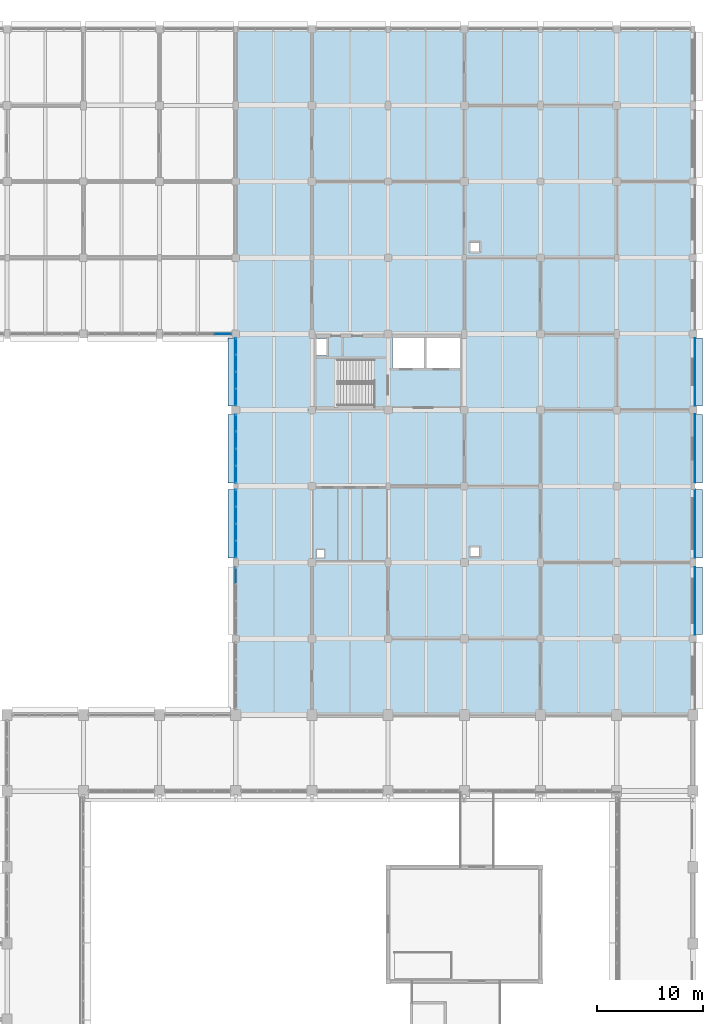
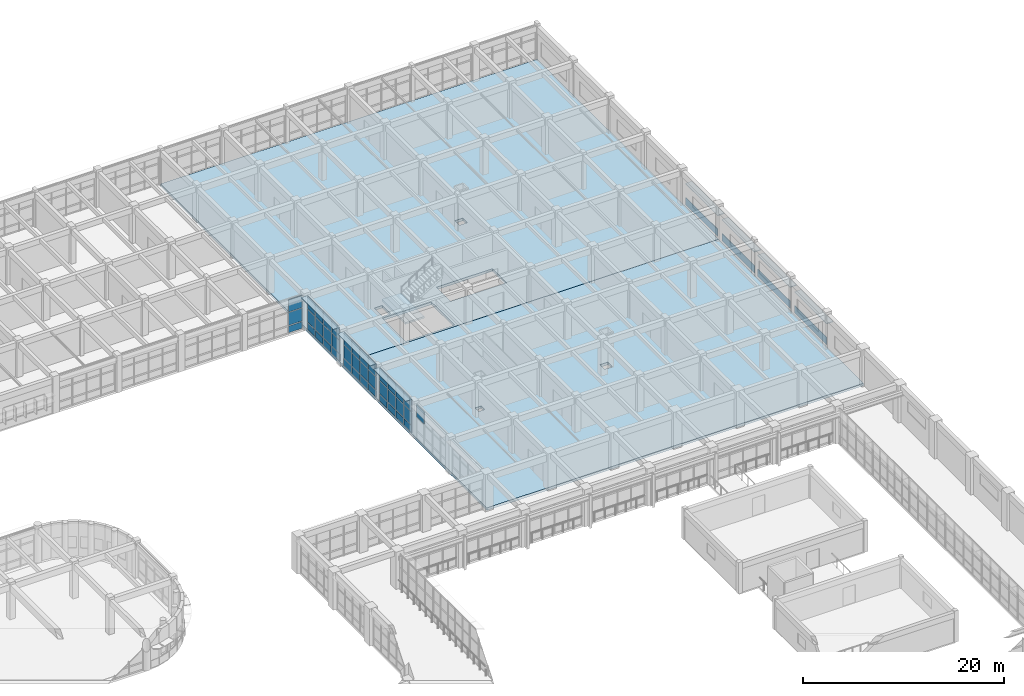
# One storey, part 144 of 171: 51 plates, 3 slabs, 6 elements without a shape of their own.
"""IFC4 building model written with IfcOpenShell, lengths in metres."""

import ifcopenshell
import ifcopenshell.guid

model = None  # the IFC model being written
_history = None  # IfcOwnerHistory: only IFC2X3 demands one
_inside = {}  # id of a spatial element -> (the spatial element, [elements in it])
_under = {}  # id of a project, library or spatial element -> (it, [spatial elements below it])
_declared = {}  # id of a project -> (the project, [libraries it declares])
_typed = {}  # id of a type object -> (the type object, [elements of that type])
_made_of = {}  # id of a material, layer set ... -> (it, [elements and type objects made of it])


def new_model(schema):
    """Start an empty IFC model of exactly this schema.

    Asked for "IFC4X3", IfcOpenShell would pick the latest addendum, in which some entities
    have other attributes; the version numbers below select the first issue.
    IFC2X3 requires an IfcOwnerHistory on every rooted entity: one is made here for all.
    """
    global model, _history
    if schema == "IFC4X3":
        model = ifcopenshell.file(schema_version=(4, 3, 0, 0))
    else:
        model = ifcopenshell.file(schema=schema)
    _inside.clear()
    _under.clear()
    _declared.clear()
    _typed.clear()
    _made_of.clear()
    _history = None
    if model.schema == "IFC2X3":
        org = make("IfcOrganization", Name="unknown")
        user = make(
            "IfcPersonAndOrganization",
            ThePerson=make("IfcPerson", FamilyName="unknown"),
            TheOrganization=org,
        )
        app = make(
            "IfcApplication",
            ApplicationDeveloper=org,
            Version="unknown",
            ApplicationFullName="unknown",
            ApplicationIdentifier="unknown",
        )
        _history = make(
            "IfcOwnerHistory",
            OwningUser=user,
            OwningApplication=app,
            ChangeAction="ADDED",
            CreationDate=0,
        )
    return model


def make(cls, **values):
    """One entity of the class cls with the attributes given. An attribute that is None is left unset."""
    return model.create_entity(
        cls, **{name: value for name, value in values.items() if value is not None}
    )


def rooted(cls, **values):
    """An entity with a GlobalId (a new one), such as an element, a storey or a relation."""
    return make(cls, GlobalId=ifcopenshell.guid.new(), OwnerHistory=_history, **values)


def si_unit(unit_type, name, prefix=None):
    """IfcSIUnit, for example si_unit("LENGTHUNIT", "METRE", prefix="MILLI")."""
    return make("IfcSIUnit", UnitType=unit_type, Prefix=prefix, Name=name)


def assignment(units):
    """IfcUnitAssignment: the units of a project."""
    return None if units is None else make("IfcUnitAssignment", Units=units)


def point(xyz):
    """IfcCartesianPoint."""
    return None if xyz is None else make("IfcCartesianPoint", Coordinates=xyz)


def direction(xyz):
    """IfcDirection."""
    return None if xyz is None else make("IfcDirection", DirectionRatios=xyz)


def frame(location, z_axis=None, x_axis=None):
    """IfcAxis2Placement3D, a coordinate frame: its origin and axes. An axis left out is left unset."""
    return make(
        "IfcAxis2Placement3D",
        Location=point(location),
        Axis=direction(z_axis),
        RefDirection=direction(x_axis),
    )


def frame_2d(location, x_axis=None):
    """IfcAxis2Placement2D, a coordinate frame in the plane: its origin and x axis."""
    return make(
        "IfcAxis2Placement2D", Location=point(location), RefDirection=direction(x_axis)
    )


def origin():
    """The frame at (0, 0, 0) with its axes left unset."""
    return frame((0.0, 0.0, 0.0))


def origin_2d():
    """The frame at (0, 0) in the plane with its x axis left unset."""
    return frame_2d((0.0, 0.0))


def place(relative_to, where):
    """IfcLocalPlacement: puts the frame where relative to a parent placement (None: the world)."""
    return make(
        "IfcLocalPlacement", PlacementRelTo=relative_to, RelativePlacement=where
    )


def context(
    kind, dimensions, precision=None, world=None, true_north=None, identifier=None
):
    """IfcGeometricRepresentationContext, for example the 3D "Model" context."""
    return make(
        "IfcGeometricRepresentationContext",
        ContextIdentifier=identifier,
        ContextType=kind,
        CoordinateSpaceDimension=dimensions,
        Precision=precision,
        WorldCoordinateSystem=world,
        TrueNorth=true_north,
    )


def subcontext(parent, identifier, kind, view, scale=None):
    """IfcGeometricRepresentationSubContext, for example "Body" below "Model"."""
    return make(
        "IfcGeometricRepresentationSubContext",
        ContextIdentifier=identifier,
        ContextType=kind,
        ParentContext=parent,
        TargetScale=scale,
        TargetView=view,
    )


def project(units=None, contexts=None):
    """IfcProject with its units and contexts."""
    return rooted(
        "IfcProject",
        Name="project",
        RepresentationContexts=contexts,
        UnitsInContext=assignment(units),
    )


def spatial(cls, under=None, at=None, **own):
    """A site, building, storey or space (cls), placed at a placement, below another one or the project."""
    s = rooted(cls, ObjectPlacement=at, **own)
    if under is not None:
        _under.setdefault(under.id(), (under, []))[1].append(s)
    return s


def polyline(points):
    """IfcPolyline through the points."""
    return make("IfcPolyline", Points=[point(p) for p in points])


def profile(cls, at=None, kind="AREA", **sizes):
    """A parametric profile (cls). Its sizes go by their IFC names, for example OverallWidth=200.0."""
    return make(cls, ProfileType=kind, Position=at, **sizes)


def rectangle(**sizes):
    """IfcRectangleProfileDef."""
    return profile("IfcRectangleProfileDef", **sizes)


def outline(outer, holes=None, kind="AREA"):
    """IfcArbitraryClosedProfileDef: a profile drawn as a closed curve; with holes, ...WithVoids."""
    if holes is None:
        return make("IfcArbitraryClosedProfileDef", ProfileType=kind, OuterCurve=outer)
    return make(
        "IfcArbitraryProfileDefWithVoids",
        ProfileType=kind,
        OuterCurve=outer,
        InnerCurves=holes,
    )


def extrude(swept, where, along, depth):
    """IfcExtrudedAreaSolid: the profile swept, set in the frame where, extruded along a direction by depth."""
    return make(
        "IfcExtrudedAreaSolid",
        SweptArea=swept,
        Position=where,
        ExtrudedDirection=direction(along),
        Depth=depth,
    )


def shape(context_of_items, identifier, shape_type, items):
    """IfcShapeRepresentation: the items that make up one representation, for example the "Body"."""
    return make(
        "IfcShapeRepresentation",
        ContextOfItems=context_of_items,
        RepresentationIdentifier=identifier,
        RepresentationType=shape_type,
        Items=items,
    )


def material(Name=None, Category=None):
    """IfcMaterial."""
    return make("IfcMaterial", Name=Name, Category=Category)


def layer(
    of_material, thickness, ventilated=None, Name=None, Category=None, Priority=None
):
    """IfcMaterialLayer: one layer of a wall or slab, of a material (None: an air gap)."""
    return make(
        "IfcMaterialLayer",
        Material=of_material,
        LayerThickness=thickness,
        IsVentilated=ventilated,
        Name=Name,
        Category=Category,
        Priority=Priority,
    )


def layer_set(layers, Name=None):
    """IfcMaterialLayerSet."""
    return make("IfcMaterialLayerSet", MaterialLayers=layers, LayerSetName=Name)


def made_of(thing, what):
    """Note that an element or type object is made of a material, layer set ...; save() writes the relation."""
    if what is not None:
        _made_of.setdefault(what.id(), (what, []))[1].append(thing)
    return thing


def type_object(cls, material=None, **own):
    """A type object (cls), such as IfcWallType, which elements share."""
    return made_of(rooted(cls, **own), material)


def element(
    cls,
    number,
    at=None,
    inside=None,
    cuts=None,
    type_object=None,
    material=None,
    context=None,
    identifier="Body",
    shape_type=None,
    held_by="IfcProductDefinitionShape",
    body=None,
    shapes=None,
    **own,
):
    """One element of the class cls, such as IfcWall. Its Tag is "e" and its number.

    at: its placement. inside: the storey or other place that contains it. cuts: it is an
    opening in that element (IfcRelVoidsElement). A single representation is given by context,
    identifier, shape_type and body (its items); several are given by shapes. held_by: the class
    of the entity that holds the representations. save() writes the other relations.
    """
    e = rooted(cls, Tag="e%d" % number, ObjectPlacement=at, **own)
    if body is not None:
        shapes = [shape(context, identifier, shape_type, body)]
    if shapes is not None:
        e.Representation = make(held_by, Representations=shapes)
    if inside is not None:
        _inside.setdefault(inside.id(), (inside, []))[1].append(e)
    if cuts is not None:
        rooted(
            "IfcRelVoidsElement", RelatingBuildingElement=cuts, RelatedOpeningElement=e
        )
    if type_object is not None:
        _typed.setdefault(type_object.id(), (type_object, []))[1].append(e)
    return made_of(e, material)


def aggregate(whole, parts):
    """IfcRelAggregates: a whole, such as a stair, and the parts it consists of."""
    return rooted("IfcRelAggregates", RelatingObject=whole, RelatedObjects=parts)


def save(model, path):
    """Write the relations noted so far, then the file.

    IfcRelAggregates (storeys below a building ...), IfcRelContainedInSpatialStructure (elements
    in a storey), IfcRelDefinesByType, IfcRelAssociatesMaterial and IfcRelDeclares: one each for
    every whole, place, type object, material and project.
    """
    for whole, parts in _under.values():
        aggregate(whole, parts)
    for where, things in _inside.values():
        rooted(
            "IfcRelContainedInSpatialStructure",
            RelatedElements=things,
            RelatingStructure=where,
        )
    for kind, things in _typed.values():
        rooted("IfcRelDefinesByType", RelatedObjects=things, RelatingType=kind)
    for what, things in _made_of.values():
        rooted("IfcRelAssociatesMaterial", RelatedObjects=things, RelatingMaterial=what)
    for by, libraries in _declared.values():
        rooted("IfcRelDeclares", RelatingContext=by, RelatedDefinitions=libraries)
    model.write(path)


model = new_model("IFC4")

# Units and contexts
model_context = context("Model", 3, precision=1e-05, world=origin(), true_north=direction((0.0, 1.0)))
body_context = subcontext(model_context, "Body", "Model", "MODEL_VIEW")
ifc_project = project(units=[si_unit("LENGTHUNIT", "METRE"), si_unit("AREAUNIT", "SQUARE_METRE"), si_unit("VOLUMEUNIT", "CUBIC_METRE"), si_unit("PLANEANGLEUNIT", "RADIAN"), si_unit("MASSUNIT", "GRAM", prefix="KILO")], contexts=[model_context])

# Site, building, storey
site_placement = place(None, origin())
site = spatial("IfcSite", under=ifc_project, at=site_placement, CompositionType="ELEMENT")
building_placement = place(site_placement, origin())
building = spatial("IfcBuilding", under=site, at=building_placement, Name="Thalmaran Polytechnic", CompositionType="ELEMENT")
storey_placement = place(building_placement, frame((0.0, 0.0, 5.39990234375)))
storey = spatial("IfcBuildingStorey", under=building, at=storey_placement, Name="L01", CompositionType="ELEMENT", Elevation=5.39990234375)

# Plates
ifc_material_1 = material(Name="Anodised aluminium spandrel band", Category="aluminium")
ifc_layer_1 = layer(ifc_material_1, 0.054931640625, Name="Anodised aluminium spandrel band")
ifc_layer_set_1 = layer_set([ifc_layer_1], Name="Anodised aluminium spandrel band")
plate_type_1 = type_object("IfcPlateType", Name="PT-BD01", PredefinedType="SHEET", material=ifc_layer_set_1)
plate_1_placement = place(storey_placement, frame((172.97998046875, 90.007568359375, 0.020263671875), z_axis=(0.0, 0.0, 1.0), x_axis=(0.0, -1.0, 0.0)))
element("IfcPlate", 1, at=plate_1_placement, inside=storey, type_object=plate_type_1, Name="Streamline Horizontal Spandrel Band L01-056", PredefinedType="SHEET", context=body_context, shape_type="SweptSolid", body=[
    extrude(rectangle(XDim=6.39501953125, YDim=0.054931640625, at=origin_2d()), origin(), (0.0, 0.0, 1.0), 0.8798828125),
])
plate_2_placement = place(storey_placement, frame((172.97998046875, 82.7548828125, 0.020263671875), z_axis=(0.0, 0.0, 1.0), x_axis=(0.0, -1.0, 0.0)))
element("IfcPlate", 2, at=plate_2_placement, inside=storey, type_object=plate_type_1, Name="Streamline Horizontal Spandrel Band L01-057", PredefinedType="SHEET", context=body_context, shape_type="SweptSolid", body=[
    extrude(rectangle(XDim=6.469970703125, YDim=0.054931640625, at=origin_2d()), origin(), (0.0, 0.0, 1.0), 0.8798828125),
])
plate_3_placement = place(storey_placement, frame((172.97998046875, 75.66259765625, 0.020263671875), z_axis=(0.0, 0.0, 1.0), x_axis=(0.0, -1.0, 0.0)))
element("IfcPlate", 3, at=plate_3_placement, inside=storey, type_object=plate_type_1, Name="Streamline Horizontal Spandrel Band L01-058", PredefinedType="SHEET", context=body_context, shape_type="SweptSolid", body=[
    extrude(rectangle(XDim=6.43505859375, YDim=0.054931640625, at=origin_2d()), origin(), (0.0, 0.0, 1.0), 0.8798828125),
])
plate_4_placement = place(storey_placement, frame((172.97998046875, 68.362548828125, 0.020263671875), z_axis=(0.0, 0.0, 1.0), x_axis=(0.0, -1.0, 0.0)))
element("IfcPlate", 4, at=plate_4_placement, inside=storey, type_object=plate_type_1, Name="Streamline Horizontal Spandrel Band L01-059", PredefinedType="SHEET", context=body_context, shape_type="SweptSolid", body=[
    extrude(rectangle(XDim=6.385009765625, YDim=0.054931640625, at=origin_2d()), origin(), (0.0, 0.0, 1.0), 0.8798828125),
])
ifc_material_2 = material(Name="Anodised aluminium sun-hood eyebrow", Category="aluminium")
ifc_layer_2 = layer(ifc_material_2, 0.0849609375, Name="Anodised aluminium sun-hood eyebrow")
ifc_layer_set_2 = layer_set([ifc_layer_2], Name="Anodised aluminium sun-hood eyebrow")
plate_type_2 = type_object("IfcPlateType", Name="PT-EB01", PredefinedType="SHEET", material=ifc_layer_set_2)
plate_5_placement = place(storey_placement, frame((173.324951171875, 90.007568359375, 2.517578125), z_axis=(0.0, 0.0, 1.0), x_axis=(0.0, -1.0, 0.0)))
element("IfcPlate", 5, at=plate_5_placement, inside=storey, type_object=plate_type_2, Name="Streamline Sun-Hood Eyebrow L01-056", PredefinedType="SHEET", context=body_context, shape_type="SweptSolid", body=[
    extrude(rectangle(XDim=6.39501953125, YDim=0.760009765625, at=origin_2d()), origin(), (0.0, 0.0, 1.0), 0.0849609375),
])
plate_6_placement = place(storey_placement, frame((173.324951171875, 82.7548828125, 2.517578125), z_axis=(0.0, 0.0, 1.0), x_axis=(0.0, -1.0, 0.0)))
element("IfcPlate", 6, at=plate_6_placement, inside=storey, type_object=plate_type_2, Name="Streamline Sun-Hood Eyebrow L01-057", PredefinedType="SHEET", context=body_context, shape_type="SweptSolid", body=[
    extrude(rectangle(XDim=6.469970703125, YDim=0.760009765625, at=origin_2d()), origin(), (0.0, 0.0, 1.0), 0.0849609375),
])
plate_7_placement = place(storey_placement, frame((173.324951171875, 75.66259765625, 2.517578125), z_axis=(0.0, 0.0, 1.0), x_axis=(0.0, -1.0, 0.0)))
element("IfcPlate", 7, at=plate_7_placement, inside=storey, type_object=plate_type_2, Name="Streamline Sun-Hood Eyebrow L01-058", PredefinedType="SHEET", context=body_context, shape_type="SweptSolid", body=[
    extrude(rectangle(XDim=6.43505859375, YDim=0.760009765625, at=origin_2d()), origin(), (0.0, 0.0, 1.0), 0.0849609375),
])
plate_8_placement = place(storey_placement, frame((173.324951171875, 68.362548828125, 2.517578125), z_axis=(0.0, 0.0, 1.0), x_axis=(0.0, -1.0, 0.0)))
element("IfcPlate", 8, at=plate_8_placement, inside=storey, type_object=plate_type_2, Name="Streamline Sun-Hood Eyebrow L01-059", PredefinedType="SHEET", context=body_context, shape_type="SweptSolid", body=[
    extrude(rectangle(XDim=6.385009765625, YDim=0.760009765625, at=origin_2d()), origin(), (0.0, 0.0, 1.0), 0.0849609375),
])
plate_9_placement = place(storey_placement, frame((129.239990234375, 75.66259765625, 4.107666015625), z_axis=(0.0, 0.0, 1.0), x_axis=(0.0, 1.0, 0.0)))
element("IfcPlate", 9, at=plate_9_placement, inside=storey, type_object=plate_type_2, Name="Streamline Sun-Hood Eyebrow L01-CW182", PredefinedType="SHEET", context=body_context, shape_type="SweptSolid", body=[
    extrude(rectangle(XDim=6.43505859375, YDim=0.760009765625, at=origin_2d()), origin(), (0.0, 0.0, 1.0), 0.0849609375),
])
plate_10_placement = place(storey_placement, frame((129.239990234375, 82.7548828125, 4.107666015625), z_axis=(0.0, 0.0, 1.0), x_axis=(0.0, 1.0, 0.0)))
element("IfcPlate", 10, at=plate_10_placement, inside=storey, type_object=plate_type_2, Name="Streamline Sun-Hood Eyebrow L01-CW183", PredefinedType="SHEET", context=body_context, shape_type="SweptSolid", body=[
    extrude(rectangle(XDim=6.469970703125, YDim=0.760009765625, at=origin_2d()), origin(), (0.0, 0.0, 1.0), 0.0849609375),
])
plate_11_placement = place(storey_placement, frame((129.239990234375, 90.007568359375, 4.107666015625), z_axis=(0.0, 0.0, 1.0), x_axis=(0.0, 1.0, 0.0)))
element("IfcPlate", 11, at=plate_11_placement, inside=storey, type_object=plate_type_2, Name="Streamline Sun-Hood Eyebrow L01-CW184", PredefinedType="SHEET", context=body_context, shape_type="SweptSolid", body=[
    extrude(rectangle(XDim=6.39501953125, YDim=0.760009765625, at=origin_2d()), origin(), (0.0, 0.0, 1.0), 0.0849609375),
])

# Curtain wall, plates
ifc_material_3 = material(Name="Aluminium 6063-T6", Category="aluminium")
curtain_wall_type = type_object("IfcCurtainWallType", Name="CW-UC02", PredefinedType="USERDEFINED", material=ifc_material_3)
curtain_wall_1_placement = place(storey_placement, origin())
curtain_wall_1 = element("IfcCurtainWall", 12, at=curtain_wall_1_placement, inside=storey, type_object=curtain_wall_type, Name="Curtain Wall CW-L01-185", ObjectType="UNITISED CURTAIN WALL", PredefinedType="USERDEFINED")
ifc_material_4 = material(Name="Solar-control double low-E glass", Category="glass")
ifc_layer_3 = layer(ifc_material_4, 0.035888671875, Name="Solar-control double low-E glass")
ifc_layer_set_3 = layer_set([ifc_layer_3], Name="Solar-control double low-E glass")
plate_type_3 = type_object("IfcPlateType", Name="PT-GL01", PredefinedType="CURTAIN_PANEL", material=ifc_layer_set_3)
plate_12_placement = place(storey_placement, frame((128.40625, 93.60009765625, 1.000244140625), z_axis=(0.0, 0.0, 1.0), x_axis=(-1.0, 0.0, 0.0)))
plate_12 = element("IfcPlate", 13, at=plate_12_placement, type_object=plate_type_3, Name="CW-L01-185 Vision Panel 1-2", PredefinedType="CURTAIN_PANEL", context=body_context, shape_type="SweptSolid", body=[
    extrude(rectangle(XDim=1.53759765625, YDim=0.035888671875, at=origin_2d()), origin(), (0.0, 0.0, 1.0), 1.544921875),
])
plate_13_placement = place(storey_placement, frame((128.40625, 93.60009765625, 2.625), z_axis=(0.0, 0.0, 1.0), x_axis=(-1.0, 0.0, 0.0)))
plate_13 = element("IfcPlate", 14, at=plate_13_placement, type_object=plate_type_3, Name="CW-L01-185 Vision Panel 1-3", PredefinedType="CURTAIN_PANEL", context=body_context, shape_type="SweptSolid", body=[
    extrude(rectangle(XDim=1.53759765625, YDim=0.035888671875, at=origin_2d()), origin(), (0.0, 0.0, 1.0), 1.485107421875),
])

# Curtain wall, plate
curtain_wall_2_placement = place(storey_placement, origin())
curtain_wall_2 = element("IfcCurtainWall", 15, at=curtain_wall_2_placement, inside=storey, type_object=curtain_wall_type, Name="Curtain Wall CW-L01-181", ObjectType="UNITISED CURTAIN WALL", PredefinedType="USERDEFINED")
ifc_layer_4 = layer(ifc_material_4, 0.035888671875, Name="Solar-control double low-E glass")
ifc_layer_set_4 = layer_set([ifc_layer_4], Name="Solar-control double low-E glass")
plate_type_4 = type_object("IfcPlateType", Name="PT-GL02", PredefinedType="CURTAIN_PANEL", material=ifc_layer_set_4)
plate_14_placement = place(storey_placement, frame((129.60009765625, 70.77197265625, 2.625), z_axis=(0.0, 0.0, 1.0), x_axis=(0.0, 1.0, 0.0)))
plate_14 = element("IfcPlate", 16, at=plate_14_placement, type_object=plate_type_4, Name="CW-L01-181 Vision Panel 4-3", PredefinedType="CURTAIN_PANEL", context=body_context, shape_type="SweptSolid", body=[
    extrude(rectangle(XDim=1.506103515625, YDim=0.035888671875, at=origin_2d()), origin(), (0.0, 0.0, 1.0), 1.485107421875),
])
aggregate(curtain_wall_2, [plate_14])

# Curtain wall, plates
curtain_wall_3_placement = place(storey_placement, origin())
curtain_wall_3 = element("IfcCurtainWall", 17, at=curtain_wall_3_placement, inside=storey, type_object=curtain_wall_type, Name="Curtain Wall CW-L01-182", ObjectType="UNITISED CURTAIN WALL", PredefinedType="USERDEFINED")
ifc_layer_5 = layer(ifc_material_4, 0.035888671875, Name="Solar-control double low-E glass")
ifc_layer_set_5 = layer_set([ifc_layer_5], Name="Solar-control double low-E glass")
plate_type_5 = type_object("IfcPlateType", Name="PT-GL03", PredefinedType="CURTAIN_PANEL", material=ifc_layer_set_5)
plate_15_placement = place(storey_placement, frame((129.60009765625, 73.234375, 1.000244140625), z_axis=(0.0, 0.0, 1.0), x_axis=(0.0, 1.0, 0.0)))
plate_15 = element("IfcPlate", 18, at=plate_15_placement, type_object=plate_type_5, Name="CW-L01-182 Vision Panel 1-2", PredefinedType="CURTAIN_PANEL", context=body_context, shape_type="SweptSolid", body=[
    extrude(rectangle(XDim=1.518798828125, YDim=0.035888671875, at=origin_2d()), origin(), (0.0, 0.0, 1.0), 1.544921875),
])
plate_16_placement = place(storey_placement, frame((129.60009765625, 73.234375, 2.625), z_axis=(0.0, 0.0, 1.0), x_axis=(0.0, 1.0, 0.0)))
plate_16 = element("IfcPlate", 19, at=plate_16_placement, type_object=plate_type_5, Name="CW-L01-182 Vision Panel 1-3", PredefinedType="CURTAIN_PANEL", context=body_context, shape_type="SweptSolid", body=[
    extrude(rectangle(XDim=1.518798828125, YDim=0.035888671875, at=origin_2d()), origin(), (0.0, 0.0, 1.0), 1.485107421875),
])
plate_17_placement = place(storey_placement, frame((129.60009765625, 74.85302734375, 1.000244140625), z_axis=(0.0, 0.0, 1.0), x_axis=(0.0, 1.0, 0.0)))
plate_17 = element("IfcPlate", 20, at=plate_17_placement, type_object=plate_type_5, Name="CW-L01-182 Vision Panel 2-2", PredefinedType="CURTAIN_PANEL", context=body_context, shape_type="SweptSolid", body=[
    extrude(rectangle(XDim=1.518798828125, YDim=0.035888671875, at=origin_2d()), origin(), (0.0, 0.0, 1.0), 1.544921875),
])
plate_18_placement = place(storey_placement, frame((129.60009765625, 74.85302734375, 2.625), z_axis=(0.0, 0.0, 1.0), x_axis=(0.0, 1.0, 0.0)))
plate_18 = element("IfcPlate", 21, at=plate_18_placement, type_object=plate_type_5, Name="CW-L01-182 Vision Panel 2-3", PredefinedType="CURTAIN_PANEL", context=body_context, shape_type="SweptSolid", body=[
    extrude(rectangle(XDim=1.518798828125, YDim=0.035888671875, at=origin_2d()), origin(), (0.0, 0.0, 1.0), 1.485107421875),
])
plate_19_placement = place(storey_placement, frame((129.60009765625, 76.471923828125, 1.000244140625), z_axis=(0.0, 0.0, 1.0), x_axis=(0.0, 1.0, 0.0)))
plate_19 = element("IfcPlate", 22, at=plate_19_placement, type_object=plate_type_5, Name="CW-L01-182 Vision Panel 3-2", PredefinedType="CURTAIN_PANEL", context=body_context, shape_type="SweptSolid", body=[
    extrude(rectangle(XDim=1.518798828125, YDim=0.035888671875, at=origin_2d()), origin(), (0.0, 0.0, 1.0), 1.544921875),
])
plate_20_placement = place(storey_placement, frame((129.60009765625, 76.471923828125, 2.625), z_axis=(0.0, 0.0, 1.0), x_axis=(0.0, 1.0, 0.0)))
plate_20 = element("IfcPlate", 23, at=plate_20_placement, type_object=plate_type_5, Name="CW-L01-182 Vision Panel 3-3", PredefinedType="CURTAIN_PANEL", context=body_context, shape_type="SweptSolid", body=[
    extrude(rectangle(XDim=1.518798828125, YDim=0.035888671875, at=origin_2d()), origin(), (0.0, 0.0, 1.0), 1.485107421875),
])
plate_21_placement = place(storey_placement, frame((129.60009765625, 78.090576171875, 1.000244140625), z_axis=(0.0, 0.0, 1.0), x_axis=(0.0, 1.0, 0.0)))
plate_21 = element("IfcPlate", 24, at=plate_21_placement, type_object=plate_type_5, Name="CW-L01-182 Vision Panel 4-2", PredefinedType="CURTAIN_PANEL", context=body_context, shape_type="SweptSolid", body=[
    extrude(rectangle(XDim=1.518798828125, YDim=0.035888671875, at=origin_2d()), origin(), (0.0, 0.0, 1.0), 1.544921875),
])
plate_22_placement = place(storey_placement, frame((129.60009765625, 78.090576171875, 2.625), z_axis=(0.0, 0.0, 1.0), x_axis=(0.0, 1.0, 0.0)))
plate_22 = element("IfcPlate", 25, at=plate_22_placement, type_object=plate_type_5, Name="CW-L01-182 Vision Panel 4-3", PredefinedType="CURTAIN_PANEL", context=body_context, shape_type="SweptSolid", body=[
    extrude(rectangle(XDim=1.518798828125, YDim=0.035888671875, at=origin_2d()), origin(), (0.0, 0.0, 1.0), 1.485107421875),
])

curtain_wall_4_placement = place(storey_placement, origin())
curtain_wall_4 = element("IfcCurtainWall", 26, at=curtain_wall_4_placement, inside=storey, type_object=curtain_wall_type, Name="Curtain Wall CW-L01-183", ObjectType="UNITISED CURTAIN WALL", PredefinedType="USERDEFINED")
ifc_layer_6 = layer(ifc_material_4, 0.035888671875, Name="Solar-control double low-E glass")
ifc_layer_set_6 = layer_set([ifc_layer_6], Name="Solar-control double low-E glass")
plate_type_6 = type_object("IfcPlateType", Name="PT-GL04", PredefinedType="CURTAIN_PANEL", material=ifc_layer_set_6)
plate_23_placement = place(storey_placement, frame((129.60009765625, 80.313720703125, 1.000244140625), z_axis=(0.0, 0.0, 1.0), x_axis=(0.0, 1.0, 0.0)))
plate_23 = element("IfcPlate", 27, at=plate_23_placement, type_object=plate_type_6, Name="CW-L01-183 Vision Panel 1-2", PredefinedType="CURTAIN_PANEL", context=body_context, shape_type="SweptSolid", body=[
    extrude(rectangle(XDim=1.527587890625, YDim=0.035888671875, at=origin_2d()), origin(), (0.0, 0.0, 1.0), 1.544921875),
])
plate_24_placement = place(storey_placement, frame((129.60009765625, 80.313720703125, 2.625), z_axis=(0.0, 0.0, 1.0), x_axis=(0.0, 1.0, 0.0)))
plate_24 = element("IfcPlate", 28, at=plate_24_placement, type_object=plate_type_6, Name="CW-L01-183 Vision Panel 1-3", PredefinedType="CURTAIN_PANEL", context=body_context, shape_type="SweptSolid", body=[
    extrude(rectangle(XDim=1.527587890625, YDim=0.035888671875, at=origin_2d()), origin(), (0.0, 0.0, 1.0), 1.485107421875),
])
plate_25_placement = place(storey_placement, frame((129.60009765625, 81.941162109375, 1.000244140625), z_axis=(0.0, 0.0, 1.0), x_axis=(0.0, 1.0, 0.0)))
plate_25 = element("IfcPlate", 29, at=plate_25_placement, type_object=plate_type_6, Name="CW-L01-183 Vision Panel 2-2", PredefinedType="CURTAIN_PANEL", context=body_context, shape_type="SweptSolid", body=[
    extrude(rectangle(XDim=1.527587890625, YDim=0.035888671875, at=origin_2d()), origin(), (0.0, 0.0, 1.0), 1.544921875),
])
plate_26_placement = place(storey_placement, frame((129.60009765625, 81.941162109375, 2.625), z_axis=(0.0, 0.0, 1.0), x_axis=(0.0, 1.0, 0.0)))
plate_26 = element("IfcPlate", 30, at=plate_26_placement, type_object=plate_type_6, Name="CW-L01-183 Vision Panel 2-3", PredefinedType="CURTAIN_PANEL", context=body_context, shape_type="SweptSolid", body=[
    extrude(rectangle(XDim=1.527587890625, YDim=0.035888671875, at=origin_2d()), origin(), (0.0, 0.0, 1.0), 1.485107421875),
])
plate_27_placement = place(storey_placement, frame((129.60009765625, 83.56884765625, 1.000244140625), z_axis=(0.0, 0.0, 1.0), x_axis=(0.0, 1.0, 0.0)))
plate_27 = element("IfcPlate", 31, at=plate_27_placement, type_object=plate_type_6, Name="CW-L01-183 Vision Panel 3-2", PredefinedType="CURTAIN_PANEL", context=body_context, shape_type="SweptSolid", body=[
    extrude(rectangle(XDim=1.527587890625, YDim=0.035888671875, at=origin_2d()), origin(), (0.0, 0.0, 1.0), 1.544921875),
])
plate_28_placement = place(storey_placement, frame((129.60009765625, 83.56884765625, 2.625), z_axis=(0.0, 0.0, 1.0), x_axis=(0.0, 1.0, 0.0)))
plate_28 = element("IfcPlate", 32, at=plate_28_placement, type_object=plate_type_6, Name="CW-L01-183 Vision Panel 3-3", PredefinedType="CURTAIN_PANEL", context=body_context, shape_type="SweptSolid", body=[
    extrude(rectangle(XDim=1.527587890625, YDim=0.035888671875, at=origin_2d()), origin(), (0.0, 0.0, 1.0), 1.485107421875),
])
plate_29_placement = place(storey_placement, frame((129.60009765625, 85.1962890625, 1.000244140625), z_axis=(0.0, 0.0, 1.0), x_axis=(0.0, 1.0, 0.0)))
plate_29 = element("IfcPlate", 33, at=plate_29_placement, type_object=plate_type_6, Name="CW-L01-183 Vision Panel 4-2", PredefinedType="CURTAIN_PANEL", context=body_context, shape_type="SweptSolid", body=[
    extrude(rectangle(XDim=1.527587890625, YDim=0.035888671875, at=origin_2d()), origin(), (0.0, 0.0, 1.0), 1.544921875),
])
plate_30_placement = place(storey_placement, frame((129.60009765625, 85.1962890625, 2.625), z_axis=(0.0, 0.0, 1.0), x_axis=(0.0, 1.0, 0.0)))
plate_30 = element("IfcPlate", 34, at=plate_30_placement, type_object=plate_type_6, Name="CW-L01-183 Vision Panel 4-3", PredefinedType="CURTAIN_PANEL", context=body_context, shape_type="SweptSolid", body=[
    extrude(rectangle(XDim=1.527587890625, YDim=0.035888671875, at=origin_2d()), origin(), (0.0, 0.0, 1.0), 1.485107421875),
])

curtain_wall_5_placement = place(storey_placement, origin())
curtain_wall_5 = element("IfcCurtainWall", 35, at=curtain_wall_5_placement, inside=storey, type_object=curtain_wall_type, Name="Curtain Wall CW-L01-184", ObjectType="UNITISED CURTAIN WALL", PredefinedType="USERDEFINED")
ifc_layer_7 = layer(ifc_material_4, 0.035888671875, Name="Solar-control double low-E glass")
ifc_layer_set_7 = layer_set([ifc_layer_7], Name="Solar-control double low-E glass")
plate_type_7 = type_object("IfcPlateType", Name="PT-GL05", PredefinedType="CURTAIN_PANEL", material=ifc_layer_set_7)
plate_31_placement = place(storey_placement, frame((129.60009765625, 87.594482421875, 1.000244140625), z_axis=(0.0, 0.0, 1.0), x_axis=(0.0, 1.0, 0.0)))
plate_31 = element("IfcPlate", 36, at=plate_31_placement, type_object=plate_type_7, Name="CW-L01-184 Vision Panel 1-2", PredefinedType="CURTAIN_PANEL", context=body_context, shape_type="SweptSolid", body=[
    extrude(rectangle(XDim=1.5087890625, YDim=0.035888671875, at=origin_2d()), origin(), (0.0, 0.0, 1.0), 1.544921875),
])
plate_32_placement = place(storey_placement, frame((129.60009765625, 87.594482421875, 2.625), z_axis=(0.0, 0.0, 1.0), x_axis=(0.0, 1.0, 0.0)))
plate_32 = element("IfcPlate", 37, at=plate_32_placement, type_object=plate_type_7, Name="CW-L01-184 Vision Panel 1-3", PredefinedType="CURTAIN_PANEL", context=body_context, shape_type="SweptSolid", body=[
    extrude(rectangle(XDim=1.5087890625, YDim=0.035888671875, at=origin_2d()), origin(), (0.0, 0.0, 1.0), 1.485107421875),
])
plate_33_placement = place(storey_placement, frame((129.60009765625, 89.203125, 1.000244140625), z_axis=(0.0, 0.0, 1.0), x_axis=(0.0, 1.0, 0.0)))
plate_33 = element("IfcPlate", 38, at=plate_33_placement, type_object=plate_type_7, Name="CW-L01-184 Vision Panel 2-2", PredefinedType="CURTAIN_PANEL", context=body_context, shape_type="SweptSolid", body=[
    extrude(rectangle(XDim=1.5087890625, YDim=0.035888671875, at=origin_2d()), origin(), (0.0, 0.0, 1.0), 1.544921875),
])
plate_34_placement = place(storey_placement, frame((129.60009765625, 89.203125, 2.625), z_axis=(0.0, 0.0, 1.0), x_axis=(0.0, 1.0, 0.0)))
plate_34 = element("IfcPlate", 39, at=plate_34_placement, type_object=plate_type_7, Name="CW-L01-184 Vision Panel 2-3", PredefinedType="CURTAIN_PANEL", context=body_context, shape_type="SweptSolid", body=[
    extrude(rectangle(XDim=1.5087890625, YDim=0.035888671875, at=origin_2d()), origin(), (0.0, 0.0, 1.0), 1.485107421875),
])
plate_35_placement = place(storey_placement, frame((129.60009765625, 90.811767578125, 1.000244140625), z_axis=(0.0, 0.0, 1.0), x_axis=(0.0, 1.0, 0.0)))
plate_35 = element("IfcPlate", 40, at=plate_35_placement, type_object=plate_type_7, Name="CW-L01-184 Vision Panel 3-2", PredefinedType="CURTAIN_PANEL", context=body_context, shape_type="SweptSolid", body=[
    extrude(rectangle(XDim=1.5087890625, YDim=0.035888671875, at=origin_2d()), origin(), (0.0, 0.0, 1.0), 1.544921875),
])
plate_36_placement = place(storey_placement, frame((129.60009765625, 90.811767578125, 2.625), z_axis=(0.0, 0.0, 1.0), x_axis=(0.0, 1.0, 0.0)))
plate_36 = element("IfcPlate", 41, at=plate_36_placement, type_object=plate_type_7, Name="CW-L01-184 Vision Panel 3-3", PredefinedType="CURTAIN_PANEL", context=body_context, shape_type="SweptSolid", body=[
    extrude(rectangle(XDim=1.5087890625, YDim=0.035888671875, at=origin_2d()), origin(), (0.0, 0.0, 1.0), 1.485107421875),
])
plate_37_placement = place(storey_placement, frame((129.60009765625, 92.420654296875, 1.000244140625), z_axis=(0.0, 0.0, 1.0), x_axis=(0.0, 1.0, 0.0)))
plate_37 = element("IfcPlate", 42, at=plate_37_placement, type_object=plate_type_7, Name="CW-L01-184 Vision Panel 4-2", PredefinedType="CURTAIN_PANEL", context=body_context, shape_type="SweptSolid", body=[
    extrude(rectangle(XDim=1.5087890625, YDim=0.035888671875, at=origin_2d()), origin(), (0.0, 0.0, 1.0), 1.544921875),
])
plate_38_placement = place(storey_placement, frame((129.60009765625, 92.420654296875, 2.625), z_axis=(0.0, 0.0, 1.0), x_axis=(0.0, 1.0, 0.0)))
plate_38 = element("IfcPlate", 43, at=plate_38_placement, type_object=plate_type_7, Name="CW-L01-184 Vision Panel 4-3", PredefinedType="CURTAIN_PANEL", context=body_context, shape_type="SweptSolid", body=[
    extrude(rectangle(XDim=1.5087890625, YDim=0.035888671875, at=origin_2d()), origin(), (0.0, 0.0, 1.0), 1.485107421875),
])

# Plate
ifc_material_5 = material(Name="Insulated anodised aluminium spandrel", Category="aluminium")
ifc_layer_8 = layer(ifc_material_5, 0.06005859375, Name="Insulated anodised aluminium spandrel")
ifc_layer_set_8 = layer_set([ifc_layer_8], Name="Insulated anodised aluminium spandrel")
plate_type_8 = type_object("IfcPlateType", Name="PT-SP01", PredefinedType="CURTAIN_PANEL", material=ifc_layer_set_8)
plate_39_placement = place(storey_placement, frame((129.60009765625, 80.313720703125, 0.10009765625), z_axis=(0.0, 0.0, 1.0), x_axis=(0.0, 1.0, 0.0)))
plate_39 = element("IfcPlate", 44, at=plate_39_placement, type_object=plate_type_8, Name="CW-L01-183 Spandrel Panel 1-1", PredefinedType="CURTAIN_PANEL", context=body_context, shape_type="SweptSolid", body=[
    extrude(rectangle(XDim=1.527587890625, YDim=0.06005859375, at=origin_2d()), origin(), (0.0, 0.0, 1.0), 0.820068359375),
])

plate_40_placement = place(storey_placement, frame((129.60009765625, 81.941162109375, 0.10009765625), z_axis=(0.0, 0.0, 1.0), x_axis=(0.0, 1.0, 0.0)))
plate_40 = element("IfcPlate", 45, at=plate_40_placement, type_object=plate_type_8, Name="CW-L01-183 Spandrel Panel 2-1", PredefinedType="CURTAIN_PANEL", context=body_context, shape_type="SweptSolid", body=[
    extrude(rectangle(XDim=1.527587890625, YDim=0.06005859375, at=origin_2d()), origin(), (0.0, 0.0, 1.0), 0.820068359375),
])

plate_41_placement = place(storey_placement, frame((129.60009765625, 83.56884765625, 0.10009765625), z_axis=(0.0, 0.0, 1.0), x_axis=(0.0, 1.0, 0.0)))
plate_41 = element("IfcPlate", 46, at=plate_41_placement, type_object=plate_type_8, Name="CW-L01-183 Spandrel Panel 3-1", PredefinedType="CURTAIN_PANEL", context=body_context, shape_type="SweptSolid", body=[
    extrude(rectangle(XDim=1.527587890625, YDim=0.06005859375, at=origin_2d()), origin(), (0.0, 0.0, 1.0), 0.820068359375),
])

plate_42_placement = place(storey_placement, frame((129.60009765625, 85.1962890625, 0.10009765625), z_axis=(0.0, 0.0, 1.0), x_axis=(0.0, 1.0, 0.0)))
plate_42 = element("IfcPlate", 47, at=plate_42_placement, type_object=plate_type_8, Name="CW-L01-183 Spandrel Panel 4-1", PredefinedType="CURTAIN_PANEL", context=body_context, shape_type="SweptSolid", body=[
    extrude(rectangle(XDim=1.527587890625, YDim=0.06005859375, at=origin_2d()), origin(), (0.0, 0.0, 1.0), 0.820068359375),
])

aggregate(curtain_wall_4, [plate_39, plate_23, plate_24, plate_40, plate_25, plate_26, plate_41, plate_27, plate_28, plate_42, plate_29, plate_30])

ifc_layer_9 = layer(ifc_material_5, 0.06005859375, Name="Insulated anodised aluminium spandrel")
ifc_layer_set_9 = layer_set([ifc_layer_9], Name="Insulated anodised aluminium spandrel")
plate_type_9 = type_object("IfcPlateType", Name="PT-SP02", PredefinedType="CURTAIN_PANEL", material=ifc_layer_set_9)
plate_43_placement = place(storey_placement, frame((129.60009765625, 87.594482421875, 0.10009765625), z_axis=(0.0, 0.0, 1.0), x_axis=(0.0, 1.0, 0.0)))
plate_43 = element("IfcPlate", 48, at=plate_43_placement, type_object=plate_type_9, Name="CW-L01-184 Spandrel Panel 1-1", PredefinedType="CURTAIN_PANEL", context=body_context, shape_type="SweptSolid", body=[
    extrude(rectangle(XDim=1.5087890625, YDim=0.06005859375, at=origin_2d()), origin(), (0.0, 0.0, 1.0), 0.820068359375),
])

plate_44_placement = place(storey_placement, frame((129.60009765625, 89.203125, 0.10009765625), z_axis=(0.0, 0.0, 1.0), x_axis=(0.0, 1.0, 0.0)))
plate_44 = element("IfcPlate", 49, at=plate_44_placement, type_object=plate_type_9, Name="CW-L01-184 Spandrel Panel 2-1", PredefinedType="CURTAIN_PANEL", context=body_context, shape_type="SweptSolid", body=[
    extrude(rectangle(XDim=1.5087890625, YDim=0.06005859375, at=origin_2d()), origin(), (0.0, 0.0, 1.0), 0.820068359375),
])

plate_45_placement = place(storey_placement, frame((129.60009765625, 90.811767578125, 0.10009765625), z_axis=(0.0, 0.0, 1.0), x_axis=(0.0, 1.0, 0.0)))
plate_45 = element("IfcPlate", 50, at=plate_45_placement, type_object=plate_type_9, Name="CW-L01-184 Spandrel Panel 3-1", PredefinedType="CURTAIN_PANEL", context=body_context, shape_type="SweptSolid", body=[
    extrude(rectangle(XDim=1.5087890625, YDim=0.06005859375, at=origin_2d()), origin(), (0.0, 0.0, 1.0), 0.820068359375),
])

plate_46_placement = place(storey_placement, frame((129.60009765625, 92.420654296875, 0.10009765625), z_axis=(0.0, 0.0, 1.0), x_axis=(0.0, 1.0, 0.0)))
plate_46 = element("IfcPlate", 51, at=plate_46_placement, type_object=plate_type_9, Name="CW-L01-184 Spandrel Panel 4-1", PredefinedType="CURTAIN_PANEL", context=body_context, shape_type="SweptSolid", body=[
    extrude(rectangle(XDim=1.5087890625, YDim=0.06005859375, at=origin_2d()), origin(), (0.0, 0.0, 1.0), 0.820068359375),
])

aggregate(curtain_wall_5, [plate_43, plate_31, plate_32, plate_44, plate_33, plate_34, plate_45, plate_35, plate_36, plate_46, plate_37, plate_38])

ifc_layer_10 = layer(ifc_material_5, 0.06005859375, Name="Insulated anodised aluminium spandrel")
ifc_layer_set_10 = layer_set([ifc_layer_10], Name="Insulated anodised aluminium spandrel")
plate_type_10 = type_object("IfcPlateType", Name="PT-SP03", PredefinedType="CURTAIN_PANEL", material=ifc_layer_set_10)
plate_47_placement = place(storey_placement, frame((129.60009765625, 73.234375, 0.10009765625), z_axis=(0.0, 0.0, 1.0), x_axis=(0.0, 1.0, 0.0)))
plate_47 = element("IfcPlate", 52, at=plate_47_placement, type_object=plate_type_10, Name="CW-L01-182 Spandrel Panel 1-1", PredefinedType="CURTAIN_PANEL", context=body_context, shape_type="SweptSolid", body=[
    extrude(rectangle(XDim=1.518798828125, YDim=0.06005859375, at=origin_2d()), origin(), (0.0, 0.0, 1.0), 0.820068359375),
])

plate_48_placement = place(storey_placement, frame((129.60009765625, 74.85302734375, 0.10009765625), z_axis=(0.0, 0.0, 1.0), x_axis=(0.0, 1.0, 0.0)))
plate_48 = element("IfcPlate", 53, at=plate_48_placement, type_object=plate_type_10, Name="CW-L01-182 Spandrel Panel 2-1", PredefinedType="CURTAIN_PANEL", context=body_context, shape_type="SweptSolid", body=[
    extrude(rectangle(XDim=1.518798828125, YDim=0.06005859375, at=origin_2d()), origin(), (0.0, 0.0, 1.0), 0.820068359375),
])

plate_49_placement = place(storey_placement, frame((129.60009765625, 76.471923828125, 0.10009765625), z_axis=(0.0, 0.0, 1.0), x_axis=(0.0, 1.0, 0.0)))
plate_49 = element("IfcPlate", 54, at=plate_49_placement, type_object=plate_type_10, Name="CW-L01-182 Spandrel Panel 3-1", PredefinedType="CURTAIN_PANEL", context=body_context, shape_type="SweptSolid", body=[
    extrude(rectangle(XDim=1.518798828125, YDim=0.06005859375, at=origin_2d()), origin(), (0.0, 0.0, 1.0), 0.820068359375),
])

plate_50_placement = place(storey_placement, frame((129.60009765625, 78.090576171875, 0.10009765625), z_axis=(0.0, 0.0, 1.0), x_axis=(0.0, 1.0, 0.0)))
plate_50 = element("IfcPlate", 55, at=plate_50_placement, type_object=plate_type_10, Name="CW-L01-182 Spandrel Panel 4-1", PredefinedType="CURTAIN_PANEL", context=body_context, shape_type="SweptSolid", body=[
    extrude(rectangle(XDim=1.518798828125, YDim=0.06005859375, at=origin_2d()), origin(), (0.0, 0.0, 1.0), 0.820068359375),
])

aggregate(curtain_wall_3, [plate_47, plate_15, plate_16, plate_48, plate_17, plate_18, plate_49, plate_19, plate_20, plate_50, plate_21, plate_22])

plate_51_placement = place(storey_placement, frame((128.40625, 93.60009765625, 0.10009765625), z_axis=(0.0, 0.0, 1.0), x_axis=(-1.0, 0.0, 0.0)))
plate_51 = element("IfcPlate", 56, at=plate_51_placement, type_object=plate_type_10, Name="CW-L01-185 Spandrel Panel 1-1", PredefinedType="CURTAIN_PANEL", context=body_context, shape_type="SweptSolid", body=[
    extrude(rectangle(XDim=1.53759765625, YDim=0.06005859375, at=origin_2d()), origin(), (0.0, 0.0, 1.0), 0.820068359375),
])

aggregate(curtain_wall_1, [plate_51, plate_12, plate_13])

# Slabs
ifc_material_6 = material(Name="Concrete C40/50", Category="concrete")
ifc_layer_11 = layer(ifc_material_6, 0.31005859375, Name="Concrete C40/50")
ifc_layer_set_11 = layer_set([ifc_layer_11], Name="Concrete C40/50")
slab_type_1 = type_object("IfcSlabType", Name="SL-FL03", PredefinedType="FLOOR", material=ifc_layer_set_11)
slab_1_placement = place(storey_placement, frame((0.0, 0.0, -0.309814453125)))
element("IfcSlab", 57, at=slab_1_placement, inside=storey, type_object=slab_type_1, Name="V5N L01 Structural Slab", PredefinedType="FLOOR", context=body_context, shape_type="SweptSolid", body=[
    extrude(outline(polyline([(144.0, 122.39990234375), (151.199951171875, 122.39990234375), (158.39990234375, 122.39990234375), (165.60009765625, 122.39990234375), (172.800048828125, 122.39990234375), (172.800048828125, 115.199951171875), (172.800048828125, 108.0), (172.800048828125, 100.800048828125), (172.800048828125, 93.60009765625), (172.800048828125, 86.39990234375), (165.60009765625, 86.39990234375), (158.39990234375, 86.39990234375), (151.199951171875, 86.39990234375), (144.0, 86.39990234375), (136.800048828125, 86.39990234375), (129.60009765625, 86.39990234375), (129.60009765625, 93.60009765625), (129.60009765625, 100.800048828125), (129.60009765625, 108.0), (129.60009765625, 115.199951171875), (129.60009765625, 122.39990234375), (136.800048828125, 122.39990234375), (144.0, 122.39990234375)]), holes=[polyline([(152.64990234375, 102.25), (151.75, 102.25), (151.75, 101.35009765625), (152.64990234375, 101.35009765625), (152.64990234375, 102.25)]), polyline([(144.39990234375, 93.199951171875), (144.39990234375, 90.39990234375), (150.800048828125, 90.39990234375), (150.800048828125, 93.199951171875), (144.39990234375, 93.199951171875)]), polyline([(142.679931640625, 86.64990234375), (142.679931640625, 91.239990234375), (137.050048828125, 91.239990234375), (137.050048828125, 86.64990234375), (142.679931640625, 86.64990234375)]), polyline([(137.239990234375, 91.5400390625), (138.159912109375, 91.5400390625), (138.159912109375, 93.159912109375), (137.239990234375, 93.159912109375), (137.239990234375, 91.5400390625)])]), origin(), (0.0, 0.0, 1.0), 0.309814453125),
])
slab_2_placement = place(storey_placement, frame((0.0, 0.0, -0.309814453125)))
element("IfcSlab", 58, at=slab_2_placement, inside=storey, type_object=slab_type_1, Name="V5S L01 Structural Slab", PredefinedType="FLOOR", context=body_context, shape_type="SweptSolid", body=[
    extrude(outline(polyline([(136.800048828125, 86.39990234375), (144.0, 86.39990234375), (151.199951171875, 86.39990234375), (158.39990234375, 86.39990234375), (165.60009765625, 86.39990234375), (172.800048828125, 86.39990234375), (172.800048828125, 79.199951171875), (172.800048828125, 72.0), (172.800048828125, 64.800048828125), (172.800048828125, 57.60009765625), (165.60009765625, 57.60009765625), (158.39990234375, 57.60009765625), (151.199951171875, 57.60009765625), (144.0, 57.60009765625), (136.800048828125, 57.60009765625), (129.60009765625, 57.60009765625), (129.60009765625, 64.800048828125), (129.60009765625, 72.0), (129.60009765625, 79.199951171875), (129.60009765625, 86.39990234375), (136.800048828125, 86.39990234375)]), holes=[polyline([(152.64990234375, 73.449951171875), (151.75, 73.449951171875), (151.75, 72.550048828125), (152.64990234375, 72.550048828125), (152.64990234375, 73.449951171875)]), polyline([(137.25, 73.179931640625), (137.25, 72.47998046875), (137.949951171875, 72.47998046875), (137.949951171875, 73.179931640625), (137.25, 73.179931640625)])]), origin(), (0.0, 0.0, 1.0), 0.309814453125),
])

# Stair, slab
stair_type = type_object("IfcStairType", Name="ST-HT45", PredefinedType="HALF_TURN_STAIR", material=ifc_material_6)
stair_placement = place(storey_placement, origin())
stair = element("IfcStair", 59, at=stair_placement, inside=storey, type_object=stair_type, Name="Exit Stair ST5 L01", PredefinedType="HALF_TURN_STAIR")
ifc_layer_12 = layer(ifc_material_6, 0.2099609375, Name="Concrete C40/50")
ifc_layer_set_12 = layer_set([ifc_layer_12], Name="Concrete C40/50")
slab_type_2 = type_object("IfcSlabType", Name="SL-LD01", PredefinedType="LANDING", material=ifc_layer_set_12)
slab_3_placement = place(storey_placement, frame((0.0, 0.0, 2.0400390625)))
slab_3 = element("IfcSlab", 60, at=slab_3_placement, type_object=slab_type_2, Name="ST5 L01 Half Landing", PredefinedType="LANDING", context=body_context, shape_type="SweptSolid", body=[
    extrude(outline(polyline([(137.0400390625, 86.639892578125), (139.199951171875, 86.639892578125), (139.199951171875, 91.340087890625), (137.0400390625, 91.340087890625), (137.0400390625, 86.639892578125)])), origin(), (0.0, 0.0, 1.0), 0.2099609375),
])
aggregate(stair, [slab_3])

save(model, "model.ifc")
